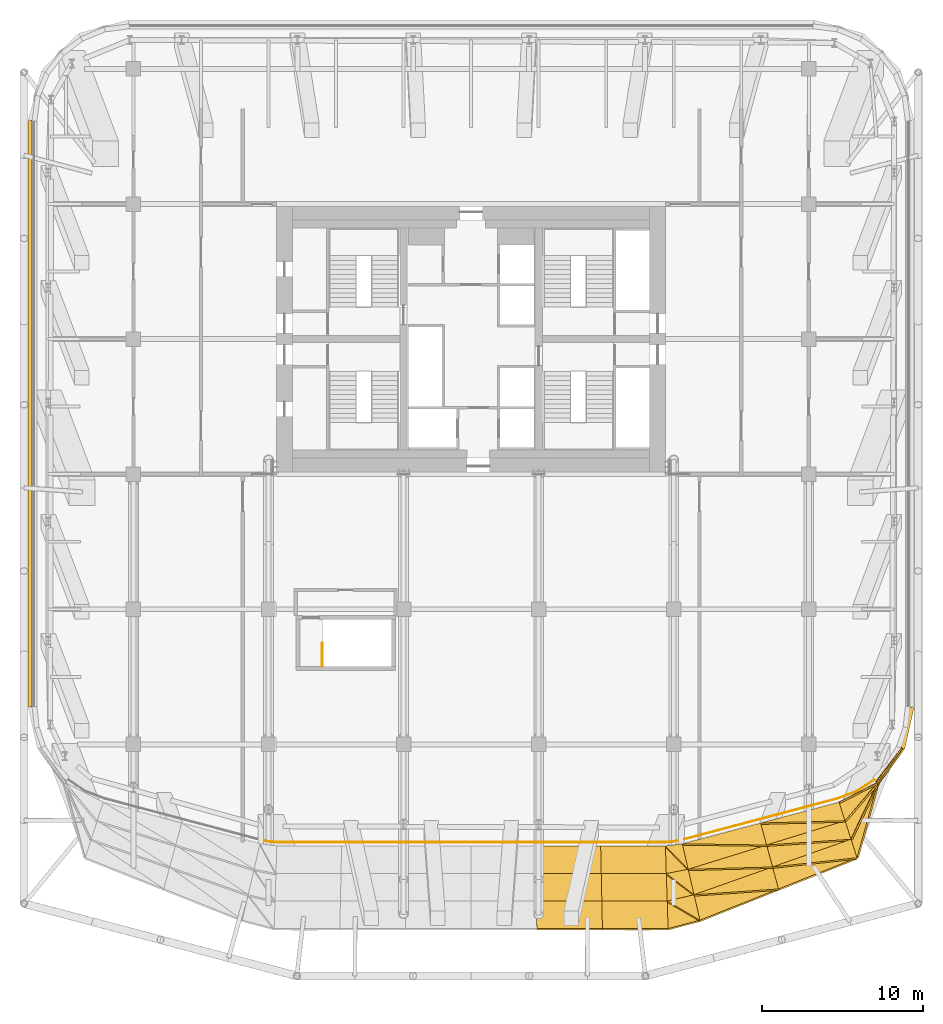
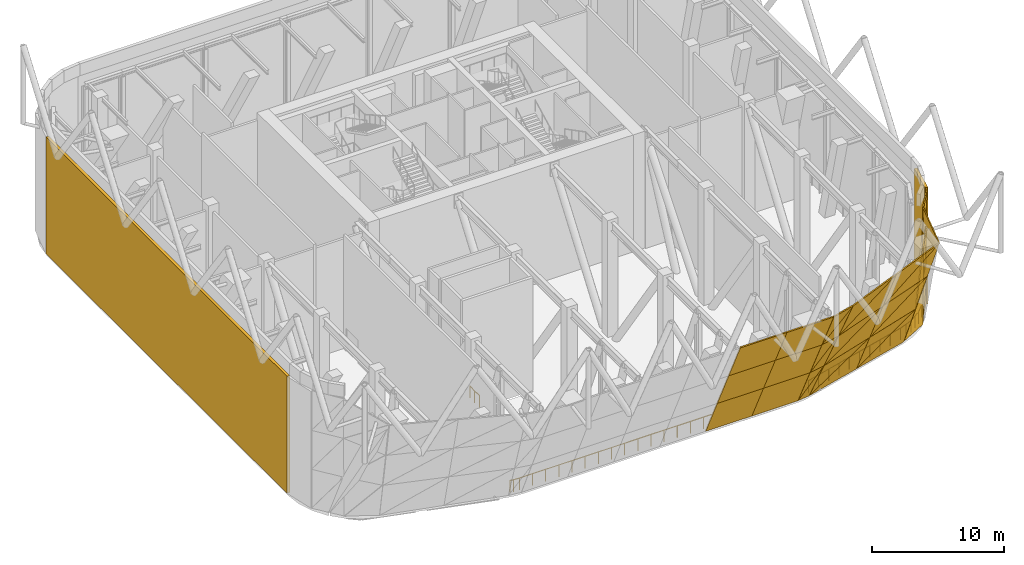
# One storey, part 16 of 20: 38 shading devices, 3 railings.
"""IFC4 building model written with IfcOpenShell, lengths in metres."""

from ifc_helpers import new_model, si_unit, direction, frame, frame_2d, origin, origin_2d, place, context, subcontext, project, spatial, polyline, rectangle, circle, outline, extrude, material, layer, layer_set, type_object, element, save


model = new_model("IFC4")

# Units and contexts
model_context = context("Model", 3, precision=1e-05, world=origin(), true_north=direction((0.0, 1.0)))
body_context = subcontext(model_context, "Body", "Model", "MODEL_VIEW")
ifc_project = project(units=[si_unit("LENGTHUNIT", "METRE"), si_unit("AREAUNIT", "SQUARE_METRE"), si_unit("VOLUMEUNIT", "CUBIC_METRE"), si_unit("PLANEANGLEUNIT", "RADIAN"), si_unit("MASSUNIT", "GRAM", prefix="KILO")], contexts=[model_context])

# Site, building, storey
site_placement = place(None, origin())
site = spatial("IfcSite", under=ifc_project, at=site_placement, CompositionType="ELEMENT")
building_placement = place(site_placement, origin())
building = spatial("IfcBuilding", under=site, at=building_placement, Name="Marenta Gate Hotel Tower", CompositionType="ELEMENT")
storey_placement = place(building_placement, frame((0.0, 0.0, 169.699951171875)))
storey = spatial("IfcBuildingStorey", under=building, at=storey_placement, Name="L40", CompositionType="ELEMENT", Elevation=169.699951171875)

# Railings
ifc_material_1 = material(Name="Stainless steel", Category="steel")
railing_type_1 = type_object("IfcRailingType", Name="Core stair well guard 1100", PredefinedType="GUARDRAIL", material=ifc_material_1)
railing_1_placement = place(storey_placement, frame((-9.25, -11.949951171875, 0.0)))
element("IfcRailing", 1, at=railing_1_placement, inside=storey, type_object=railing_type_1, Name="GR-1100 L40-RS-Z2-1-KR-1", PredefinedType="GUARDRAIL", context=body_context, shape_type="SweptSolid", body=[
    extrude(circle(Radius=0.02392578125, at=origin_2d()), frame((0.0, 0.0, 1.076171875), z_axis=(0.0, 1.0, 0.0), x_axis=(-1.0, 0.0, 0.0)), (0.0, 0.0, 1.0), 1.449951171875),
    extrude(circle(Radius=0.02099609375, at=origin_2d()), origin(), (0.0, 0.0, 1.0), 1.052001953125),
    extrude(circle(Radius=0.02099609375, at=origin_2d()), frame((0.0, 0.72509765625, 0.0)), (0.0, 0.0, 1.0), 1.052001953125),
    extrude(circle(Radius=0.02099609375, at=origin_2d()), frame((0.0, 1.449951171875, 0.0)), (0.0, 0.0, 1.0), 1.052001953125),
])
ifc_material_2 = material(Name="Stainless steel", Category="steel")
railing_type_2 = type_object("IfcRailingType", Name="Guard 1100 stainless balustrade", PredefinedType="GUARDRAIL", material=ifc_material_2)
railing_2_placement = place(storey_placement, frame((25.6875, -18.35302734375, 0.0)))
element("IfcRailing", 2, at=railing_2_placement, inside=storey, type_object=railing_type_2, Name="Guard", PredefinedType="GUARDRAIL", context=body_context, shape_type="SweptSolid", body=[
    extrude(circle(Radius=0.02392578125, at=origin_2d()), frame((0.0, 0.0, 1.076171875), z_axis=(-0.692543260277, -0.721376346053, 0.0), x_axis=(0.721376346053, -0.692543260277, 0.0)), (0.0, 0.0, 1.0), 0.88916015625),
    extrude(circle(Radius=0.02392578125, at=origin_2d()), frame((-0.61572265625, -0.641357421875, 1.076171875), z_axis=(-0.83257703296, -0.553909274329, 0.0), x_axis=(0.553909274329, -0.83257703296, 0.0)), (0.0, 0.0, 1.0), 1.28271484375),
    extrude(circle(Radius=0.02392578125, at=origin_2d()), frame((-1.68359375, -1.351806640625, 1.076171875), z_axis=(-0.932851670105, -0.360260685592, 0.0), x_axis=(0.360260685592, -0.932851670105, 0.0)), (0.0, 0.0, 1.0), 1.2890625),
    extrude(circle(Radius=0.02392578125, at=origin_2d()), frame((-2.885986328125, -1.816162109375, 1.076171875), z_axis=(-0.966561808758, -0.256433753337, 0.0), x_axis=(0.256433753337, -0.966561808758, 0.0)), (0.0, 0.0, 1.0), 9.84423828125),
    extrude(circle(Radius=0.02099609375, at=origin_2d()), origin(), (0.0, 0.0, 1.0), 1.052001953125),
    extrude(circle(Radius=0.02099609375, at=origin_2d()), frame((-0.61572265625, -0.641357421875, 0.0)), (0.0, 0.0, 1.0), 1.052001953125),
    extrude(circle(Radius=0.02099609375, at=origin_2d()), frame((-1.149658203125, -0.99658203125, 0.0)), (0.0, 0.0, 1.0), 1.052001953125),
    extrude(circle(Radius=0.02099609375, at=origin_2d()), frame((-1.68359375, -1.351806640625, 0.0)), (0.0, 0.0, 1.0), 1.052001953125),
    extrude(circle(Radius=0.02099609375, at=origin_2d()), frame((-2.28466796875, -1.583984375, 0.0)), (0.0, 0.0, 1.0), 1.052001953125),
    extrude(circle(Radius=0.02099609375, at=origin_2d()), frame((-2.885986328125, -1.816162109375, 0.0)), (0.0, 0.0, 1.0), 1.052001953125),
    extrude(circle(Radius=0.02099609375, at=origin_2d()), frame((-3.943115234375, -2.0966796875, 0.0)), (0.0, 0.0, 1.0), 1.052001953125),
    extrude(circle(Radius=0.02099609375, at=origin_2d()), frame((-5.00048828125, -2.377197265625, 0.0)), (0.0, 0.0, 1.0), 1.052001953125),
    extrude(circle(Radius=0.02099609375, at=origin_2d()), frame((-6.0576171875, -2.65771484375, 0.0)), (0.0, 0.0, 1.0), 1.052001953125),
    extrude(circle(Radius=0.02099609375, at=origin_2d()), frame((-7.114990234375, -2.938232421875, 0.0)), (0.0, 0.0, 1.0), 1.052001953125),
    extrude(circle(Radius=0.02099609375, at=origin_2d()), frame((-8.172119140625, -3.218505859375, 0.0)), (0.0, 0.0, 1.0), 1.052001953125),
    extrude(circle(Radius=0.02099609375, at=origin_2d()), frame((-9.2294921875, -3.4990234375, 0.0)), (0.0, 0.0, 1.0), 1.052001953125),
    extrude(circle(Radius=0.02099609375, at=origin_2d()), frame((-10.28662109375, -3.779541015625, 0.0)), (0.0, 0.0, 1.0), 1.052001953125),
    extrude(circle(Radius=0.02099609375, at=origin_2d()), frame((-11.343994140625, -4.06005859375, 0.0)), (0.0, 0.0, 1.0), 1.052001953125),
    extrude(circle(Radius=0.02099609375, at=origin_2d()), frame((-12.401123046875, -4.340576171875, 0.0)), (0.0, 0.0, 1.0), 1.052001953125),
])
railing_3_placement = place(storey_placement, frame((12.845703125, -22.794921875, 0.0)))
element("IfcRailing", 3, at=railing_3_placement, inside=storey, type_object=railing_type_2, Name="Guard", PredefinedType="GUARDRAIL", context=body_context, shape_type="SweptSolid", body=[
    extrude(circle(Radius=0.02392578125, at=origin_2d()), frame((0.0, 0.0, 1.076171875), z_axis=(-0.981200056109, -0.192993393389, 0.0), x_axis=(0.192993393389, -0.981200056109, 0.0)), (0.0, 0.0, 1.0), 0.270751953125),
    extrude(circle(Radius=0.02392578125, at=origin_2d()), frame((-0.265625, -0.05224609375, 1.076171875), z_axis=(-0.997913307823, -0.064568026677, 0.0), x_axis=(0.064568026677, -0.997913307823, 0.0)), (0.0, 0.0, 1.0), 0.506591796875),
    extrude(circle(Radius=0.02392578125, at=origin_2d()), frame((-0.771240234375, -0.0849609375, 1.076171875), z_axis=(-1.0, 0.0, 0.0), x_axis=(0.0, -1.0, 0.0)), (0.0, 0.0, 1.0), 24.14892578125),
    extrude(circle(Radius=0.02392578125, at=origin_2d()), frame((-24.920166015625, -0.0849609375, 1.076171875), z_axis=(-0.997913307823, 0.064568026677, 0.0), x_axis=(-0.064568026677, -0.997913307823, 0.0)), (0.0, 0.0, 1.0), 0.506591796875),
    extrude(circle(Radius=0.02392578125, at=origin_2d()), frame((-25.42578125, -0.05224609375, 1.076171875), z_axis=(-0.981200056109, 0.192993393389, 0.0), x_axis=(-0.192993393389, -0.981200056109, 0.0)), (0.0, 0.0, 1.0), 0.270751953125),
    extrude(circle(Radius=0.02099609375, at=origin_2d()), origin(), (0.0, 0.0, 1.0), 1.052001953125),
    extrude(circle(Radius=0.02099609375, at=origin_2d()), frame((-0.265625, -0.05224609375, 0.0)), (0.0, 0.0, 1.0), 1.052001953125),
    extrude(circle(Radius=0.02099609375, at=origin_2d()), frame((-0.771240234375, -0.0849609375, 0.0)), (0.0, 0.0, 1.0), 1.052001953125),
    extrude(circle(Radius=0.02099609375, at=origin_2d()), frame((-1.921142578125, -0.0849609375, 0.0)), (0.0, 0.0, 1.0), 1.052001953125),
    extrude(circle(Radius=0.02099609375, at=origin_2d()), frame((-3.071044921875, -0.0849609375, 0.0)), (0.0, 0.0, 1.0), 1.052001953125),
    extrude(circle(Radius=0.02099609375, at=origin_2d()), frame((-4.22119140625, -0.0849609375, 0.0)), (0.0, 0.0, 1.0), 1.052001953125),
    extrude(circle(Radius=0.02099609375, at=origin_2d()), frame((-5.37109375, -0.0849609375, 0.0)), (0.0, 0.0, 1.0), 1.052001953125),
    extrude(circle(Radius=0.02099609375, at=origin_2d()), frame((-6.52099609375, -0.0849609375, 0.0)), (0.0, 0.0, 1.0), 1.052001953125),
    extrude(circle(Radius=0.02099609375, at=origin_2d()), frame((-7.6708984375, -0.0849609375, 0.0)), (0.0, 0.0, 1.0), 1.052001953125),
    extrude(circle(Radius=0.02099609375, at=origin_2d()), frame((-8.82080078125, -0.0849609375, 0.0)), (0.0, 0.0, 1.0), 1.052001953125),
    extrude(circle(Radius=0.02099609375, at=origin_2d()), frame((-9.970947265625, -0.0849609375, 0.0)), (0.0, 0.0, 1.0), 1.052001953125),
    extrude(circle(Radius=0.02099609375, at=origin_2d()), frame((-11.120849609375, -0.0849609375, 0.0)), (0.0, 0.0, 1.0), 1.052001953125),
    extrude(circle(Radius=0.02099609375, at=origin_2d()), frame((-12.270751953125, -0.0849609375, 0.0)), (0.0, 0.0, 1.0), 1.052001953125),
    extrude(circle(Radius=0.02099609375, at=origin_2d()), frame((-13.420654296875, -0.0849609375, 0.0)), (0.0, 0.0, 1.0), 1.052001953125),
    extrude(circle(Radius=0.02099609375, at=origin_2d()), frame((-14.570556640625, -0.0849609375, 0.0)), (0.0, 0.0, 1.0), 1.052001953125),
    extrude(circle(Radius=0.02099609375, at=origin_2d()), frame((-15.720458984375, -0.0849609375, 0.0)), (0.0, 0.0, 1.0), 1.052001953125),
    extrude(circle(Radius=0.02099609375, at=origin_2d()), frame((-16.87060546875, -0.0849609375, 0.0)), (0.0, 0.0, 1.0), 1.052001953125),
    extrude(circle(Radius=0.02099609375, at=origin_2d()), frame((-18.0205078125, -0.0849609375, 0.0)), (0.0, 0.0, 1.0), 1.052001953125),
    extrude(circle(Radius=0.02099609375, at=origin_2d()), frame((-19.17041015625, -0.0849609375, 0.0)), (0.0, 0.0, 1.0), 1.052001953125),
    extrude(circle(Radius=0.02099609375, at=origin_2d()), frame((-20.3203125, -0.0849609375, 0.0)), (0.0, 0.0, 1.0), 1.052001953125),
    extrude(circle(Radius=0.02099609375, at=origin_2d()), frame((-21.47021484375, -0.0849609375, 0.0)), (0.0, 0.0, 1.0), 1.052001953125),
    extrude(circle(Radius=0.02099609375, at=origin_2d()), frame((-22.620361328125, -0.0849609375, 0.0)), (0.0, 0.0, 1.0), 1.052001953125),
    extrude(circle(Radius=0.02099609375, at=origin_2d()), frame((-23.770263671875, -0.0849609375, 0.0)), (0.0, 0.0, 1.0), 1.052001953125),
    extrude(circle(Radius=0.02099609375, at=origin_2d()), frame((-24.920166015625, -0.0849609375, 0.0)), (0.0, 0.0, 1.0), 1.052001953125),
    extrude(circle(Radius=0.02099609375, at=origin_2d()), frame((-25.42578125, -0.05224609375, 0.0)), (0.0, 0.0, 1.0), 1.052001953125),
    extrude(circle(Radius=0.02099609375, at=origin_2d()), frame((-25.69140625, 0.0, 0.0)), (0.0, 0.0, 1.0), 1.052001953125),
])

# Shading devices
ifc_material_3 = material(Name="Bronze anodised aluminium louvre", Category="aluminium")
ifc_layer_1 = layer(ifc_material_3, 0.10009765625)
ifc_layer_set_1 = layer_set([ifc_layer_1], Name="Bronze anodised aluminium louvre")
shading_device_type_1 = type_object("IfcShadingDeviceType", Name="Louvre blade 100 mm inclined", PredefinedType="JALOUSIE", material=ifc_layer_set_1)
shading_device_1_placement = place(storey_placement, frame((4.02734375, -23.119873046875, 0.0), z_axis=(0.0, 0.903048341594, 0.429538930418), x_axis=(1.0, 0.0, 0.0)))
element("IfcShadingDevice", 4, at=shading_device_1_placement, inside=storey, type_object=shading_device_type_1, Name="Louvre blade", PredefinedType="JALOUSIE", context=body_context, shape_type="SweptSolid", body=[
    extrude(outline(polyline([(0.0, 0.0), (4.027587890625, 0.0), (4.064453125, -3.9866056892320367), (0.0185546875, -3.9866056892320367), (0.0, 0.0)])), origin(), (0.0, 0.0, -1.0), 0.10009765625),
])
shading_device_2_placement = place(storey_placement, frame((4.0458984375, -24.832275390625, 3.60009765625), z_axis=(0.0, 0.903037041609, 0.429562686324), x_axis=(1.0, 0.0, 0.0)))
element("IfcShadingDevice", 5, at=shading_device_2_placement, inside=storey, type_object=shading_device_type_1, Name="Louvre blade", PredefinedType="JALOUSIE", context=body_context, shape_type="SweptSolid", body=[
    extrude(outline(polyline([(0.0, 0.0), (4.0458984375, 0.0), (4.0830078125, -3.9863852198248684), (0.0185546875, -3.9863852198248684), (0.0, 0.0)])), origin(), (0.0, 0.0, -1.0), 0.10009765625),
])
shading_device_3_placement = place(storey_placement, frame((4.064453125, -26.544677734375, 7.199951171875), z_axis=(0.0, 0.903072095579, 0.429488987271), x_axis=(1.0, 0.0, 0.0)))
element("IfcShadingDevice", 6, at=shading_device_3_placement, inside=storey, type_object=shading_device_type_1, Name="Louvre blade", PredefinedType="JALOUSIE", context=body_context, shape_type="SweptSolid", body=[
    extrude(outline(polyline([(0.0, 0.0), (4.064453125, 0.0), (4.1015625, -3.9865008274255973), (0.0185546875, -3.9865008274255973), (0.0, 0.0)])), origin(), (0.0, 0.0, -1.0), 0.10009765625),
])
shading_device_4_placement = place(storey_placement, frame((8.054931640625, -23.119873046875, 0.0), z_axis=(0.0, 0.903048341594, 0.429538930418), x_axis=(1.0, 0.0, 0.0)))
element("IfcShadingDevice", 7, at=shading_device_4_placement, inside=storey, type_object=shading_device_type_1, Name="Louvre blade", PredefinedType="JALOUSIE", context=body_context, shape_type="SweptSolid", body=[
    extrude(outline(polyline([(0.0, 0.0), (4.02734375, 0.0), (4.0830078125, -3.9866056892320367), (0.036865234375, -3.9866056892320367), (0.0, 0.0)])), origin(), (0.0, 0.0, -1.0), 0.10009765625),
])
shading_device_5_placement = place(storey_placement, frame((8.091796875, -24.832275390625, 3.60009765625), z_axis=(0.0, 0.903037041609, 0.429562686324), x_axis=(1.0, 0.0, 0.0)))
element("IfcShadingDevice", 8, at=shading_device_5_placement, inside=storey, type_object=shading_device_type_1, Name="Louvre blade", PredefinedType="JALOUSIE", context=body_context, shape_type="SweptSolid", body=[
    extrude(outline(polyline([(0.0, 0.0), (4.046142578125, 0.0), (4.1015625, -3.986385219824869), (0.037109375, -3.986385219824869), (0.0, 0.0)])), origin(), (0.0, 0.0, -1.0), 0.10009765625),
])
shading_device_6_placement = place(storey_placement, frame((8.12890625, -26.544677734375, 7.199951171875), z_axis=(0.0, 0.903072095579, 0.429488987271), x_axis=(1.0, 0.0, 0.0)))
element("IfcShadingDevice", 9, at=shading_device_6_placement, inside=storey, type_object=shading_device_type_1, Name="Louvre blade", PredefinedType="JALOUSIE", context=body_context, shape_type="SweptSolid", body=[
    extrude(outline(polyline([(0.0, 0.0), (4.064453125, 0.0), (4.1201171875, -3.9865008274255973), (0.037109375, -3.9865008274255973), (0.0, 0.0)])), origin(), (0.0, 0.0, -1.0), 0.10009765625),
])
shading_device_7_placement = place(storey_placement, frame((12.082275390625, -23.119873046875, 0.0), z_axis=(-0.117903570369, 0.904488818401, 0.409876475883), x_axis=(0.99161070493, 0.129260240866, 0.0)))
element("IfcShadingDevice", 10, at=shading_device_7_placement, inside=storey, type_object=shading_device_type_1, Name="Louvre blade", PredefinedType="JALOUSIE", context=body_context, shape_type="SweptSolid", body=[
    extrude(outline(polyline([(0.0, 0.0), (1.05770149493729, 6.938893903907228e-18), (1.2156413517455233, -3.9468651265834853), (0.0, 0.0)])), origin(), (0.0, 0.0, -1.0), 0.10009765625),
])
shading_device_8_placement = place(storey_placement, frame((12.082275390625, -23.119873046875, 0.0), z_axis=(-0.173481069888, 0.888312451699, 0.425212072437), x_axis=(0.342520016049, -0.350382487939, 0.871729402253)))
element("IfcShadingDevice", 11, at=shading_device_8_placement, inside=storey, type_object=shading_device_type_1, Name="Louvre blade", PredefinedType="JALOUSIE", context=body_context, shape_type="SweptSolid", body=[
    extrude(outline(polyline([(0.0, 0.0), (4.129833922025746, -2.220446049250313e-16), (3.7573728270706193, -1.3335189716170457), (0.0, 0.0)])), origin(), (0.0, 0.0, -1.0), 0.10009765625),
])
shading_device_9_placement = place(storey_placement, frame((12.137939453125, -24.832275390625, 3.60009765625), z_axis=(-0.174702833735, 0.894568512023, 0.411370997012), x_axis=(0.981459051327, 0.191671934745, 0.0)))
element("IfcShadingDevice", 12, at=shading_device_9_placement, inside=storey, type_object=shading_device_type_1, Name="Louvre blade", PredefinedType="JALOUSIE", context=body_context, shape_type="SweptSolid", body=[
    extrude(outline(polyline([(0.0, 0.0), (1.3845577326055258, -1.3877787807814457e-17), (1.439894194094816, -3.949511713050895), (0.0, 0.0)])), origin(), (0.0, 0.0, -1.0), 0.10009765625),
])
shading_device_10_placement = place(storey_placement, frame((12.137939453125, -24.832275390625, 3.60009765625), z_axis=(-0.208088785979, 0.882022957062, 0.422770103442), x_axis=(0.41025005906, -0.31366938972, 0.856333114502)))
element("IfcShadingDevice", 13, at=shading_device_10_placement, inside=storey, type_object=shading_device_type_1, Name="Louvre blade", PredefinedType="JALOUSIE", context=body_context, shape_type="SweptSolid", body=[
    extrude(outline(polyline([(0.0, 0.0), (4.203800430766686, 0.0), (3.642537997129807, -1.6205725617954811), (0.0, 0.0)])), origin(), (0.0, 0.0, -1.0), 0.10009765625),
])
shading_device_11_placement = place(storey_placement, frame((12.193359375, -26.544677734375, 7.199951171875), z_axis=(-0.209270972587, 0.887033874506, 0.411553842785), x_axis=(0.973280708654, 0.229618514415, 0.0)))
element("IfcShadingDevice", 14, at=shading_device_11_placement, inside=storey, type_object=shading_device_type_1, Name="Louvre blade", PredefinedType="JALOUSIE", context=body_context, shape_type="SweptSolid", body=[
    extrude(outline(polyline([(0.0, 0.0), (1.7150133957075555, -2.7755575615628914e-17), (1.7074896800689974, -3.95013730456282), (0.0, 0.0)])), origin(), (0.0, 0.0, -1.0), 0.10009765625),
])
shading_device_12_placement = place(storey_placement, frame((12.193359375, -26.544677734375, 7.199951171875), z_axis=(-0.231306304999, 0.877189673029, 0.420756070425), x_axis=(0.472920077808, -0.2765697432, 0.836573832457)))
element("IfcShadingDevice", 15, at=shading_device_12_placement, inside=storey, type_object=shading_device_type_1, Name="Louvre blade", PredefinedType="JALOUSIE", context=body_context, shape_type="SweptSolid", body=[
    extrude(outline(polyline([(0.0, 0.0), (4.303383056670757, 2.220446049250313e-16), (3.5116033008337015, -1.8878372791352618), (0.0, 0.0)])), origin(), (0.0, 0.0, -1.0), 0.10009765625),
])
shading_device_13_placement = place(storey_placement, frame((13.131103515625, -22.983154296875, 0.0), z_axis=(-0.23864005768, 0.899440912392, 0.366137908425), x_axis=(0.966558127958, 0.256447626774, 0.0)))
element("IfcShadingDevice", 16, at=shading_device_13_placement, inside=storey, type_object=shading_device_type_1, Name="Louvre blade", PredefinedType="JALOUSIE", context=body_context, shape_type="SweptSolid", body=[
    extrude(outline(polyline([(0.0, 0.0), (5.040891294782552, 1.1102230246251565e-16), (5.047484519432148, -3.8687406845178205), (0.0, 0.0)])), origin(), (0.0, 0.0, -1.0), 0.10009765625),
])
shading_device_14_placement = place(storey_placement, frame((13.131103515625, -22.983154296875, 0.0), z_axis=(-0.26956707716, 0.871066693433, 0.410580572486), x_axis=(0.824259396757, -0.011747164799, 0.566090497162)))
element("IfcShadingDevice", 17, at=shading_device_14_placement, inside=storey, type_object=shading_device_type_1, Name="Louvre blade", PredefinedType="JALOUSIE", context=body_context, shape_type="SweptSolid", body=[
    extrude(outline(polyline([(0.0, 0.0), (6.359579739098377, 4.440892098500626e-16), (2.358035865613159, -3.168967684008702), (0.0, 0.0)])), origin(), (0.0, 0.0, -1.0), 0.10009765625),
])
shading_device_15_placement = place(storey_placement, frame((13.496826171875, -24.56689453125, 3.60009765625), z_axis=(-0.275125449361, 0.889027762512, 0.36597216369), x_axis=(0.955301007859, 0.295634883572, 0.0)))
element("IfcShadingDevice", 18, at=shading_device_15_placement, inside=storey, type_object=shading_device_type_1, Name="Louvre blade", PredefinedType="JALOUSIE", context=body_context, shape_type="SweptSolid", body=[
    extrude(outline(polyline([(0.0, 0.0), (5.104381407547693, 0.0), (5.053461008138925, -3.86820731211096), (0.0, 0.0)])), origin(), (0.0, 0.0, -1.0), 0.10009765625),
])
shading_device_16_placement = place(storey_placement, frame((13.496826171875, -24.56689453125, 3.60009765625), z_axis=(-0.304138101622, 0.860175530761, 0.409387434372), x_axis=(0.824339055928, 0.022250402664, 0.565658943581)))
element("IfcShadingDevice", 19, at=shading_device_16_placement, inside=storey, type_object=shading_device_type_1, Name="Louvre blade", PredefinedType="JALOUSIE", context=body_context, shape_type="SweptSolid", body=[
    extrude(outline(polyline([(0.0, 0.0), (6.363999997662569, -4.440892098500626e-16), (2.3025245157213394, -3.209374666504144), (0.0, 0.0)])), origin(), (0.0, 0.0, -1.0), 0.10009765625),
])
shading_device_17_placement = place(storey_placement, frame((13.862548828125, -26.15087890625, 7.199951171875), z_axis=(-0.310330900161, 0.877690251021, 0.365177430392), x_axis=(0.942802108747, 0.333352941702, 0.0)))
element("IfcShadingDevice", 20, at=shading_device_17_placement, inside=storey, type_object=shading_device_type_1, Name="Louvre blade", PredefinedType="JALOUSIE", context=body_context, shape_type="SweptSolid", body=[
    extrude(outline(polyline([(0.0, 0.0), (5.176453307082788, 1.1102230246251565e-16), (5.069184244365833, -3.8671725680673203), (0.0, 0.0)])), origin(), (0.0, 0.0, -1.0), 0.10009765625),
])
shading_device_18_placement = place(storey_placement, frame((13.862548828125, -26.15087890625, 7.199951171875), z_axis=(-0.337451332165, 0.848506020608, 0.40763234834), x_axis=(0.823417704769, 0.056211736914, 0.56464459982)))
element("IfcShadingDevice", 21, at=shading_device_18_placement, inside=storey, type_object=shading_device_type_1, Name="Louvre blade", PredefinedType="JALOUSIE", context=body_context, shape_type="SweptSolid", body=[
    extrude(outline(polyline([(0.0, 0.0), (6.375864849143148, 0.0), (2.245080727366701, -3.250115976207993), (0.0, 0.0)])), origin(), (0.0, 0.0, -1.0), 0.10009765625),
])
shading_device_19_placement = place(storey_placement, frame((18.00341796875, -21.6904296875, 0.0), z_axis=(-0.243121939573, 0.916333247979, 0.318158924354), x_axis=(0.966558127958, 0.256447626774, 0.0)))
element("IfcShadingDevice", 22, at=shading_device_19_placement, inside=storey, type_object=shading_device_type_1, Name="Louvre blade", PredefinedType="JALOUSIE", context=body_context, shape_type="SweptSolid", body=[
    extrude(outline(polyline([(0.0, 0.0), (5.040891294782552, 5.551115123125783e-17), (5.106794571921472, -3.7974215808104588), (0.0, 0.0)])), origin(), (0.0, 0.0, -1.0), 0.10009765625),
])
shading_device_20_placement = place(storey_placement, frame((18.00341796875, -21.6904296875, 0.0), z_axis=(-0.27517050857, 0.889029532135, 0.365933986129), x_axis=(0.824308167934, 0.022288967542, 0.565702436094)))
element("IfcShadingDevice", 23, at=shading_device_20_placement, inside=storey, type_object=shading_device_type_1, Name="Louvre blade", PredefinedType="JALOUSIE", context=body_context, shape_type="SweptSolid", body=[
    extrude(outline(polyline([(0.0, 0.0), (6.3639422893526945, 0.0), (2.3107935013907834, -3.1028102340595725), (0.0, 0.0)])), origin(), (0.0, 0.0, -1.0), 0.10009765625),
])
shading_device_21_placement = place(storey_placement, frame((18.373046875, -23.057861328125, 3.60009765625), z_axis=(-0.280271133299, 0.905508790905, 0.318593661947), x_axis=(0.955287498997, 0.295678531958, 0.0)))
element("IfcShadingDevice", 24, at=shading_device_21_placement, inside=storey, type_object=shading_device_type_1, Name="Louvre blade", PredefinedType="JALOUSIE", context=body_context, shape_type="SweptSolid", body=[
    extrude(outline(polyline([(0.0, 0.0), (5.1044535893611505, 0.0), (5.1212300935881565, -3.7977489520092242), (0.0, 0.0)])), origin(), (0.0, 0.0, -1.0), 0.10009765625),
])
shading_device_22_placement = place(storey_placement, frame((18.373046875, -23.057861328125, 3.60009765625), z_axis=(-0.310371976286, 0.877638341204, 0.365267269797), x_axis=(0.823435507872, 0.056212952267, 0.564618515791)))
element("IfcShadingDevice", 25, at=shading_device_22_placement, inside=storey, type_object=shading_device_type_1, Name="Louvre blade", PredefinedType="JALOUSIE", context=body_context, shape_type="SweptSolid", body=[
    extrude(outline(polyline([(0.0, 0.0), (6.375726999641697, 4.440892098500626e-16), (2.2602431797147546, -3.1395734527316894), (0.0, 0.0)])), origin(), (0.0, 0.0, -1.0), 0.10009765625),
])
shading_device_23_placement = place(storey_placement, frame((18.742919921875, -24.42529296875, 7.199951171875), z_axis=(-0.316054268331, 0.893706149337, 0.318432124805), x_axis=(0.942782042557, 0.33340968827, 0.0)))
element("IfcShadingDevice", 26, at=shading_device_23_placement, inside=storey, type_object=shading_device_type_1, Name="Louvre blade", PredefinedType="JALOUSIE", context=body_context, shape_type="SweptSolid", body=[
    extrude(outline(polyline([(0.0, 0.0), (5.176304525158662, -1.1102230246251565e-16), (5.144833984214868, -3.7977890431682826), (0.0, 0.0)])), origin(), (0.0, 0.0, -1.0), 0.10009765625),
])
shading_device_24_placement = place(storey_placement, frame((18.742919921875, -24.42529296875, 7.199951171875), z_axis=(-0.34419506304, 0.865462825051, 0.364010792468), x_axis=(0.821561745636, 0.089948393174, 0.562979204477)))
element("IfcShadingDevice", 27, at=shading_device_24_placement, inside=storey, type_object=shading_device_type_1, Name="Louvre blade", PredefinedType="JALOUSIE", context=body_context, shape_type="SweptSolid", body=[
    extrude(outline(polyline([(0.0, 0.0), (6.3947258222336085, 4.440892098500626e-16), (2.2074767652185066, -3.177038975846693), (0.0, 0.0)])), origin(), (0.0, 0.0, -1.0), 0.10009765625),
])
shading_device_25_placement = place(storey_placement, frame((22.875732421875, -20.397705078125, 0.0), z_axis=(-0.460283865072, 0.887742999382, 0.007150566638), x_axis=(0.88776569567, 0.460295632819, 0.0)))
element("IfcShadingDevice", 28, at=shading_device_25_placement, inside=storey, type_object=shading_device_type_1, Name="Louvre blade", PredefinedType="JALOUSIE", context=body_context, shape_type="SweptSolid", body=[
    extrude(outline(polyline([(0.0, 0.0), (2.6477548625340592, 8.673617379884035e-19), (2.6533826202189257, -3.600189697362045), (0.0, 0.0)])), origin(), (0.0, 0.0, -1.0), 0.10009765625),
])
shading_device_26_placement = place(storey_placement, frame((22.875732421875, -20.397705078125, 0.0), z_axis=(-0.733046309578, 0.622133348262, 0.27494218482), x_axis=(0.529349919211, 0.267977596515, 0.804969981302)))
element("IfcShadingDevice", 29, at=shading_device_26_placement, inside=storey, type_object=shading_device_type_1, Name="Louvre blade", PredefinedType="JALOUSIE", context=body_context, shape_type="SweptSolid", body=[
    extrude(outline(polyline([(0.0, 0.0), (4.472337776406391, 0.0), (2.7872915846434907, -2.579875874246323), (0.0, 0.0)])), origin(), (0.0, 0.0, -1.0), 0.10009765625),
])
shading_device_27_placement = place(storey_placement, frame((23.249267578125, -21.548583984375, 3.60009765625), z_axis=(-0.762409955293, 0.647054152019, 0.007210022484), x_axis=(0.647070971044, 0.762429772787, 0.0)))
element("IfcShadingDevice", 30, at=shading_device_27_placement, inside=storey, type_object=shading_device_type_1, Name="Louvre blade", PredefinedType="JALOUSIE", context=body_context, shape_type="SweptSolid", body=[
    extrude(outline(polyline([(0.0, 0.0), (3.0814185361441706, 0.0), (3.0768692748796864, -3.5999470874293764), (0.0, 0.0)])), origin(), (0.0, 0.0, -1.0), 0.10009765625),
])
shading_device_28_placement = place(storey_placement, frame((23.249267578125, -21.548583984375, 3.60009765625), z_axis=(-0.881854319797, 0.414819223673, 0.224182894812), x_axis=(0.424593441323, 0.491819017754, 0.76015423656)))
element("IfcShadingDevice", 31, at=shading_device_28_placement, inside=storey, type_object=shading_device_type_1, Name="Louvre blade", PredefinedType="JALOUSIE", context=body_context, shape_type="SweptSolid", body=[
    extrude(outline(polyline([(0.0, 0.0), (4.735688288621825, 0.0), (2.329124005628567, -2.9997266408767946), (0.0, 0.0)])), origin(), (0.0, 0.0, -1.0), 0.10009765625),
])
shading_device_29_placement = place(storey_placement, frame((23.623046875, -22.699462890625, 7.199951171875), z_axis=(-0.90486605271, 0.4256438111, 0.006691242372), x_axis=(0.425653340037, 0.90488631005, 0.0)))
element("IfcShadingDevice", 32, at=shading_device_29_placement, inside=storey, type_object=shading_device_type_1, Name="Louvre blade", PredefinedType="JALOUSIE", context=body_context, shape_type="SweptSolid", body=[
    extrude(outline(polyline([(0.0, 0.0), (3.8457654073233365, 0.0), (3.834703437125201, -3.6001782520466032), (0.0, 0.0)])), origin(), (0.0, 0.0, -1.0), 0.10009765625),
])
shading_device_30_placement = place(storey_placement, frame((23.623046875, -22.699462890625, 7.199951171875), z_axis=(-0.947362505396, 0.263128380682, 0.182394458932), x_axis=(0.31446645832, 0.657757074665, 0.684446109873)))
element("IfcShadingDevice", 33, at=shading_device_30_placement, inside=storey, type_object=shading_device_type_1, Name="Louvre blade", PredefinedType="JALOUSIE", context=body_context, shape_type="SweptSolid", body=[
    extrude(outline(polyline([(0.0, 0.0), (5.259870140717275, 0.0), (1.8246989561813207, -3.33086561282006), (0.0, 0.0)])), origin(), (0.0, 0.0, -1.0), 0.10009765625),
])
shading_device_31_placement = place(storey_placement, frame((25.226318359375, -19.178955078125, 0.0), z_axis=(0.792644506009, -0.609684087946, 0.0), x_axis=(0.609684087946, 0.792644506009, 0.0)))
element("IfcShadingDevice", 34, at=shading_device_31_placement, inside=storey, type_object=shading_device_type_1, Name="Louvre blade", PredefinedType="JALOUSIE", context=body_context, shape_type="SweptSolid", body=[
    extrude(outline(polyline([(0.0, 0.0), (2.6541025007766863, 0.0), (2.6541025007766863, 3.60009765625), (0.0, 0.0)])), origin(), (0.0, 0.0, -1.0), 0.10009765625),
])
shading_device_32_placement = place(storey_placement, frame((25.226318359375, -19.178955078125, 0.0), z_axis=(-0.798479365729, 0.60198001837, 0.007124604487), x_axis=(0.361787596256, 0.470356625971, 0.80490644152)))
element("IfcShadingDevice", 35, at=shading_device_32_placement, inside=storey, type_object=shading_device_type_1, Name="Louvre blade", PredefinedType="JALOUSIE", context=body_context, shape_type="SweptSolid", body=[
    extrude(outline(polyline([(0.0, 0.0), (4.472690825349524, 0.0), (2.8943052077236042, -2.141120009058904), (0.0, 0.0)])), origin(), (0.0, 0.0, -1.0), 0.10009765625),
])
shading_device_33_placement = place(storey_placement, frame((25.2431640625, -19.19921875, 3.60009765625), z_axis=(0.798499631902, -0.601995297201, 0.0), x_axis=(0.601995297201, 0.798499631902, 0.0)))
element("IfcShadingDevice", 36, at=shading_device_33_placement, inside=storey, type_object=shading_device_type_1, Name="Louvre blade", PredefinedType="JALOUSIE", context=body_context, shape_type="SweptSolid", body=[
    extrude(outline(polyline([(0.0, 0.0), (2.6600180546606746, 0.0), (2.6600180546606746, 3.599853515625), (0.0, 0.0)])), origin(), (0.0, 0.0, -1.0), 0.10009765625),
])
shading_device_34_placement = place(storey_placement, frame((25.2431640625, -19.19921875, 3.60009765625), z_axis=(-0.804233838115, 0.594270478124, 0.007108618821), x_axis=(0.357755975501, 0.47453529301, 0.804255505223)))
element("IfcShadingDevice", 37, at=shading_device_34_placement, inside=storey, type_object=shading_device_type_1, Name="Louvre blade", PredefinedType="JALOUSIE", context=body_context, shape_type="SweptSolid", body=[
    extrude(outline(polyline([(0.0, 0.0), (4.476007303957226, 4.440892098500626e-16), (2.891612831420816, -2.1443448792654127), (0.0, 0.0)])), origin(), (0.0, 0.0, -1.0), 0.10009765625),
])
shading_device_35_placement = place(storey_placement, frame((25.260009765625, -19.219482421875, 7.199951171875), z_axis=(0.804254158843, -0.594285493668, 0.0), x_axis=(0.594285493668, 0.804254158843, 0.0)))
element("IfcShadingDevice", 38, at=shading_device_35_placement, inside=storey, type_object=shading_device_type_1, Name="Louvre blade", PredefinedType="JALOUSIE", context=body_context, shape_type="SweptSolid", body=[
    extrude(outline(polyline([(0.0, 0.0), (2.6661809401906176, 0.0), (2.6661809401906176, 3.60009765625), (0.0, 0.0)])), origin(), (0.0, 0.0, -1.0), 0.10009765625),
])
shading_device_36_placement = place(storey_placement, frame((25.260009765625, -19.219482421875, 7.199951171875), z_axis=(-0.809930420367, 0.586482438389, 0.007145881718), x_axis=(0.353687294808, 0.478649539338, 0.80361677184)))
element("IfcShadingDevice", 39, at=shading_device_36_placement, inside=storey, type_object=shading_device_type_1, Name="Louvre blade", PredefinedType="JALOUSIE", context=body_context, shape_type="SweptSolid", body=[
    extrude(outline(polyline([(0.0, 0.0), (4.479868741422283, 0.0), (2.889444120221797, -2.1476774641015552), (0.0, 0.0)])), origin(), (0.0, 0.0, -1.0), 0.10009765625),
])
ifc_material_4 = material(Name="Bronze anodised aluminium louvre", Category="aluminium")
ifc_layer_2 = layer(ifc_material_4, 0.25)
ifc_layer_set_2 = layer_set([ifc_layer_2], Name="Bronze anodised aluminium louvre")
shading_device_type_2 = type_object("IfcShadingDeviceType", Name="Louvred plant screen 250 mm", PredefinedType="JALOUSIE", material=ifc_layer_set_2)
shading_device_37_placement = place(storey_placement, frame((26.844482421875, -17.0751953125, 0.0), z_axis=(0.0, 0.0, 1.0), x_axis=(0.21735028632, 0.976093670216, 0.0)))
element("IfcShadingDevice", 40, at=shading_device_37_placement, inside=storey, type_object=shading_device_type_2, Name="Louvred plant screen", PredefinedType="JALOUSIE", context=body_context, shape_type="SweptSolid", body=[
    extrude(rectangle(XDim=2.6474609375, YDim=0.25, at=frame_2d((1.32373046875, 0.0))), origin(), (0.0, 0.0, 1.0), 10.800048828125),
])
shading_device_38_placement = place(storey_placement, frame((-27.419677734375, 22.0078125, 0.0), z_axis=(0.0, 0.0, 1.0), x_axis=(-6.689008e-06, -0.999999999978, 0.0)))
element("IfcShadingDevice", 41, at=shading_device_38_placement, inside=storey, type_object=shading_device_type_2, Name="Louvred plant screen", PredefinedType="JALOUSIE", context=body_context, shape_type="SweptSolid", body=[
    extrude(rectangle(XDim=36.498779296875, YDim=0.25, at=frame_2d((18.24951171875, 0.0))), origin(), (0.0, 0.0, 1.0), 10.800048828125),
])

save(model, "model.ifc")
